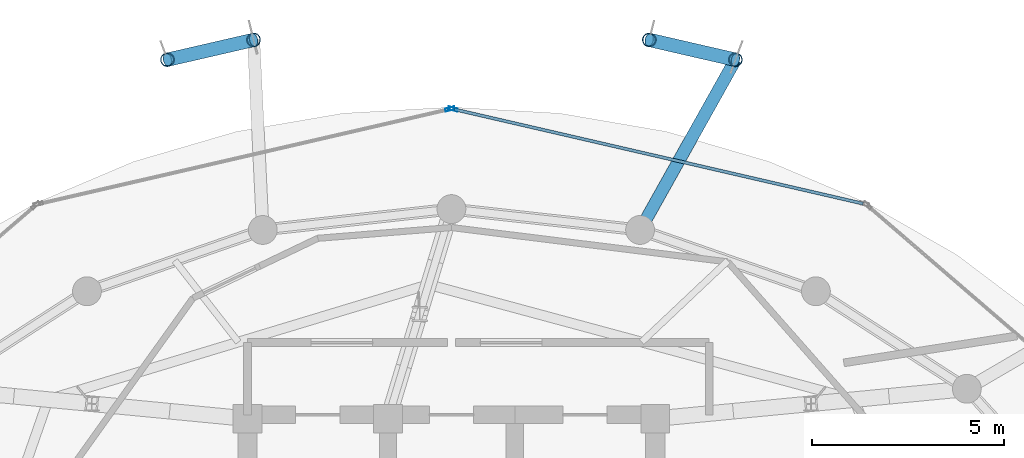
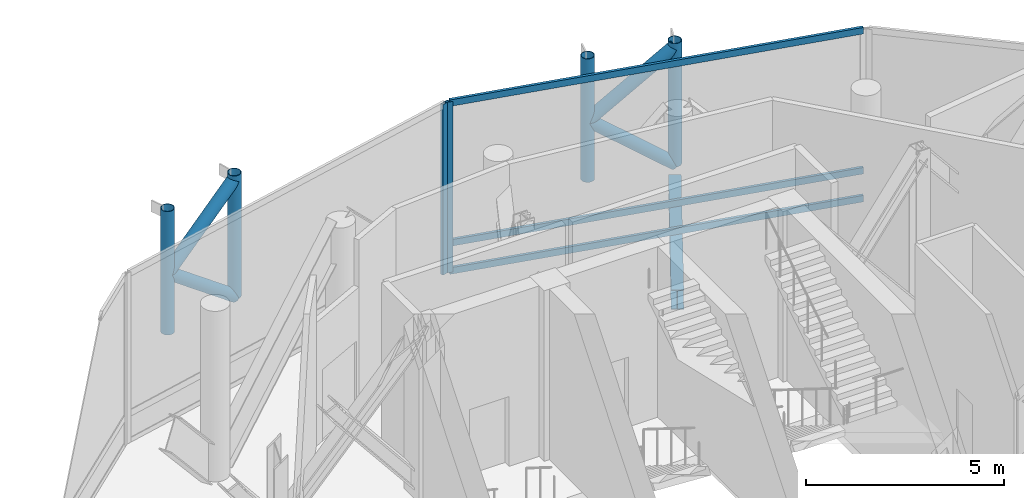
# One storey, part 15 of 26: 13 members, 1 beam, 2 elements without a shape of their own.
"""IFC4 building model written with IfcOpenShell, lengths in metres."""

from ifc_helpers import new_model, si_unit, direction, frame, origin, origin_2d, place, context, subcontext, project, spatial, hollow_rectangle, hollow_circle, i_section, extrude, material, layer, layer_set, material_profile, profile_set, type_object, element, aggregate, save


model = new_model("IFC4")

# Units and contexts
model_context = context("Model", 3, precision=1e-05, world=origin(), true_north=direction((0.0, 1.0)))
body_context = subcontext(model_context, "Body", "Model", "MODEL_VIEW")
ifc_project = project(units=[si_unit("LENGTHUNIT", "METRE"), si_unit("AREAUNIT", "SQUARE_METRE"), si_unit("VOLUMEUNIT", "CUBIC_METRE"), si_unit("PLANEANGLEUNIT", "RADIAN"), si_unit("MASSUNIT", "GRAM", prefix="KILO")], contexts=[model_context])

# Site, building, storey
site_placement = place(None, origin())
site = spatial("IfcSite", under=ifc_project, at=site_placement, CompositionType="ELEMENT")
building_placement = place(site_placement, origin())
building = spatial("IfcBuilding", under=site, at=building_placement, Name="Nuhasar Tower", CompositionType="ELEMENT")
storey_placement = place(building_placement, frame((0.0, 0.0, 301.199951171875)))
storey = spatial("IfcBuildingStorey", under=building, at=storey_placement, Name="L75", CompositionType="ELEMENT", Elevation=301.199951171875)

# Beam
ifc_material_1 = material(Name="Steel S355", Category="steel")
ifc_material_profile_1 = material_profile(ifc_material_1, i_section(OverallWidth=0.323974609375, OverallDepth=0.611083984375, WebThickness=0.0126953125, FlangeThickness=0.01904296875, at=origin_2d()), Name="W24X104")
ifc_profile_set_1 = profile_set([ifc_material_profile_1], Name="Steel S355")
beam_type = type_object("IfcBeamType", Name="BM-TIE-W24X104", PredefinedType="BEAM", material=ifc_profile_set_1)
beam_placement = place(storey_placement, frame((43.905029296875, 42.20703125, -0.655029296875), z_axis=(0.488667847762, 0.872469904675, 0.0), x_axis=(-0.872469904675, 0.488667847762, 0.0)))
element("IfcBeam", 1, at=beam_placement, inside=storey, type_object=beam_type, Name="L75 Exoskeleton Node Tie Beam 03", PredefinedType="BEAM", context=body_context, shape_type="SweptSolid", body=[
    extrude(i_section(OverallWidth=0.323974609375, OverallDepth=0.611083984375, WebThickness=0.0126953125, FlangeThickness=0.01904296875, at=origin_2d()), origin(), (0.0, 0.0, 1.0), 5.072998046875),
])

# Curtain wall, member
ifc_material_2 = material(Name="Aluminium 6063-T6", Category="aluminium")
ifc_layer = layer(ifc_material_2, 0.219970703125)
ifc_layer_set = layer_set([ifc_layer], Name="Aluminium 6063-T6")
curtain_wall_type = type_object("IfcCurtainWallType", Name="CW-CROWN", PredefinedType="NOTDEFINED", material=ifc_layer_set)
curtain_wall_1_placement = place(storey_placement, origin())
curtain_wall_1 = element("IfcCurtainWall", 2, at=curtain_wall_1_placement, inside=storey, type_object=curtain_wall_type, Name="L75 Unitised Curtain Wall 03", PredefinedType="NOTDEFINED")
ifc_material_profile_2 = material_profile(ifc_material_2, hollow_rectangle(XDim=0.080078125, YDim=0.239990234375, WallThickness=0.0048828125, at=origin_2d()), Name="CWM-7")
ifc_profile_set_2 = profile_set([ifc_material_profile_2], Name="Aluminium 6063-T6")
member_type_1 = type_object("IfcMemberType", Name="CW-MUL-S7", PredefinedType="MULLION", material=ifc_profile_set_2)
member_1_placement = place(storey_placement, frame((39.0390625, 45.35107421875, 0.0), z_axis=(0.0, 0.0, 1.0), x_axis=(-0.224800092578, -0.974404904738, 0.0)))
member_1 = element("IfcMember", 3, at=member_1_placement, type_object=member_type_1, Name="CW-CR mullion 2", PredefinedType="MULLION", context=body_context, shape_type="SweptSolid", body=[
    extrude(hollow_rectangle(XDim=0.080078125, YDim=0.239990234375, WallThickness=0.0048828125, at=origin_2d()), origin(), (0.0, 0.0, 1.0), 5.25),
])

curtain_wall_2_placement = place(storey_placement, origin())
curtain_wall_2 = element("IfcCurtainWall", 4, at=curtain_wall_2_placement, inside=storey, type_object=curtain_wall_type, Name="L75 Unitised Curtain Wall 04", PredefinedType="NOTDEFINED")
member_2_placement = place(storey_placement, frame((38.9609375, 45.35107421875, 0.0), z_axis=(0.0, 0.0, 1.0), x_axis=(0.224800092578, -0.974404904738, 0.0)))
member_2 = element("IfcMember", 5, at=member_2_placement, type_object=member_type_1, Name="CW-CR mullion 1", PredefinedType="MULLION", context=body_context, shape_type="SweptSolid", body=[
    extrude(hollow_rectangle(XDim=0.080078125, YDim=0.239990234375, WallThickness=0.0048828125, at=origin_2d()), origin(), (0.0, 0.0, 1.0), 5.25),
])
aggregate(curtain_wall_2, [member_2])

# Member
ifc_material_profile_3 = material_profile(ifc_material_2, hollow_rectangle(XDim=0.080078125, YDim=0.199951171875, WallThickness=0.00439453125, at=origin_2d()), Name="CWT-7")
ifc_profile_set_3 = profile_set([ifc_material_profile_3], Name="Aluminium 6063-T6")
member_type_2 = type_object("IfcMemberType", Name="CW-TRN-S7", PredefinedType="USERDEFINED", material=ifc_profile_set_3)
member_3_placement = place(storey_placement, frame((49.7021484375, 42.890869140625, 0.0400390625), z_axis=(-0.974402893209, 0.224808811449, 0.0), x_axis=(-0.224808811449, -0.974402893209, 0.0)))
member_3 = element("IfcMember", 6, at=member_3_placement, type_object=member_type_2, Name="CW-CR transom 1.1", ObjectType="TRANSOM", PredefinedType="USERDEFINED", context=body_context, shape_type="SweptSolid", body=[
    extrude(hollow_rectangle(XDim=0.080078125, YDim=0.199951171875, WallThickness=0.00439453125, at=origin_2d()), origin(), (0.0, 0.0, 1.0), 10.9033203125),
])

member_4_placement = place(storey_placement, frame((49.7021484375, 42.890869140625, 0.900146484375), z_axis=(-0.974402893209, 0.224808811449, 0.0), x_axis=(-0.224808811449, -0.974402893209, 0.0)))
member_4 = element("IfcMember", 7, at=member_4_placement, type_object=member_type_2, Name="CW-CR transom 1.2", ObjectType="TRANSOM", PredefinedType="USERDEFINED", context=body_context, shape_type="SweptSolid", body=[
    extrude(hollow_rectangle(XDim=0.080078125, YDim=0.199951171875, WallThickness=0.00439453125, at=origin_2d()), origin(), (0.0, 0.0, 1.0), 10.9033203125),
])

member_5_placement = place(storey_placement, frame((49.7021484375, 42.890869140625, 5.2099609375), z_axis=(-0.974402893209, 0.224808811449, 0.0), x_axis=(-0.224808811449, -0.974402893209, 0.0)))
member_5 = element("IfcMember", 8, at=member_5_placement, type_object=member_type_2, Name="CW-CR transom 1.3", ObjectType="TRANSOM", PredefinedType="USERDEFINED", context=body_context, shape_type="SweptSolid", body=[
    extrude(hollow_rectangle(XDim=0.080078125, YDim=0.199951171875, WallThickness=0.00439453125, at=origin_2d()), origin(), (0.0, 0.0, 1.0), 10.9033203125),
])

aggregate(curtain_wall_1, [member_1, member_3, member_4, member_5])

# Members
ifc_material_3 = material(Name="Steel S460", Category="steel")
ifc_material_profile_4 = material_profile(ifc_material_3, hollow_circle(Radius=0.177734375, WallThickness=0.015869140625, at=origin_2d()), Name="HSS355.6X15.9")
ifc_profile_set_4 = profile_set([ifc_material_profile_4], Name="Steel S460")
member_type_3 = type_object("IfcMemberType", Name="EXO-BRONZE-356", PredefinedType="BRACE", material=ifc_profile_set_4)
for number, where, z_axis, x_axis, name in (
    (9, (46.384033203125, 46.633056640625, 0.0), (0.0, 0.0, 1.0), (1.0, 0.0, 0.0), "L75 Exoskeleton Chord Column EC-03A"),
    (10, (44.14306640625, 47.14892578125, 0.0), (0.0, 0.0, 1.0), (1.0, 0.0, 0.0), "L75 Exoskeleton Chord Column EC-03B"),
    (11, (33.85693359375, 47.14892578125, 0.0), (0.0, 0.0, 1.0), (1.0, 0.0, 0.0), "L75 Exoskeleton Chord Column EC-04A"),
    (12, (31.615966796875, 46.633056640625, 0.0), (0.0, 0.0, 1.0), (1.0, 0.0, 0.0), "L75 Exoskeleton Chord Column EC-04B"),
):
    element("IfcMember", number, at=place(storey_placement, frame(where, z_axis=z_axis, x_axis=x_axis)), inside=storey, type_object=member_type_3, Name=name, PredefinedType="BRACE", context=body_context, shape_type="SweptSolid", body=[
        extrude(hollow_circle(Radius=0.177734375, WallThickness=0.015869140625, at=origin_2d()), origin(), (0.0, 0.0, 1.0), 3.800048828125),
    ])
for number, where, z_axis, x_axis, name in (
    (13, (46.384033203125, 46.633056640625, 0.0), (-0.767372085088, 0.176648569102, 0.616388973021), (-0.224332214284, -0.974512728308, 0.0), "L75 Bronze Diagrid Brace W1-03"),
    (14, (44.14306640625, 47.14892578125, 1.800048828125), (0.767372085088, -0.176648569102, 0.616388973021), (0.224332214284, 0.974512728308, 0.0), "L75 Bronze Diagrid Brace W2-03"),
    (15, (33.85693359375, 47.14892578125, 0.0), (-0.767372085088, -0.176648569102, 0.616388973021), (0.224332214284, -0.974512728308, 0.0), "L75 Bronze Diagrid Brace W1-04"),
    (16, (31.615966796875, 46.633056640625, 1.800048828125), (0.767372085088, 0.176648569102, 0.616388973021), (-0.224332214284, 0.974512728308, 0.0), "L75 Bronze Diagrid Brace W2-04"),
):
    element("IfcMember", number, at=place(storey_placement, frame(where, z_axis=z_axis, x_axis=x_axis)), inside=storey, type_object=member_type_3, Name=name, PredefinedType="BRACE", context=body_context, shape_type="SweptSolid", body=[
        extrude(hollow_circle(Radius=0.177734375, WallThickness=0.015869140625, at=origin_2d()), origin(), (0.0, 0.0, 1.0), 2.92041015625),
    ])

save(model, "model.ifc")
